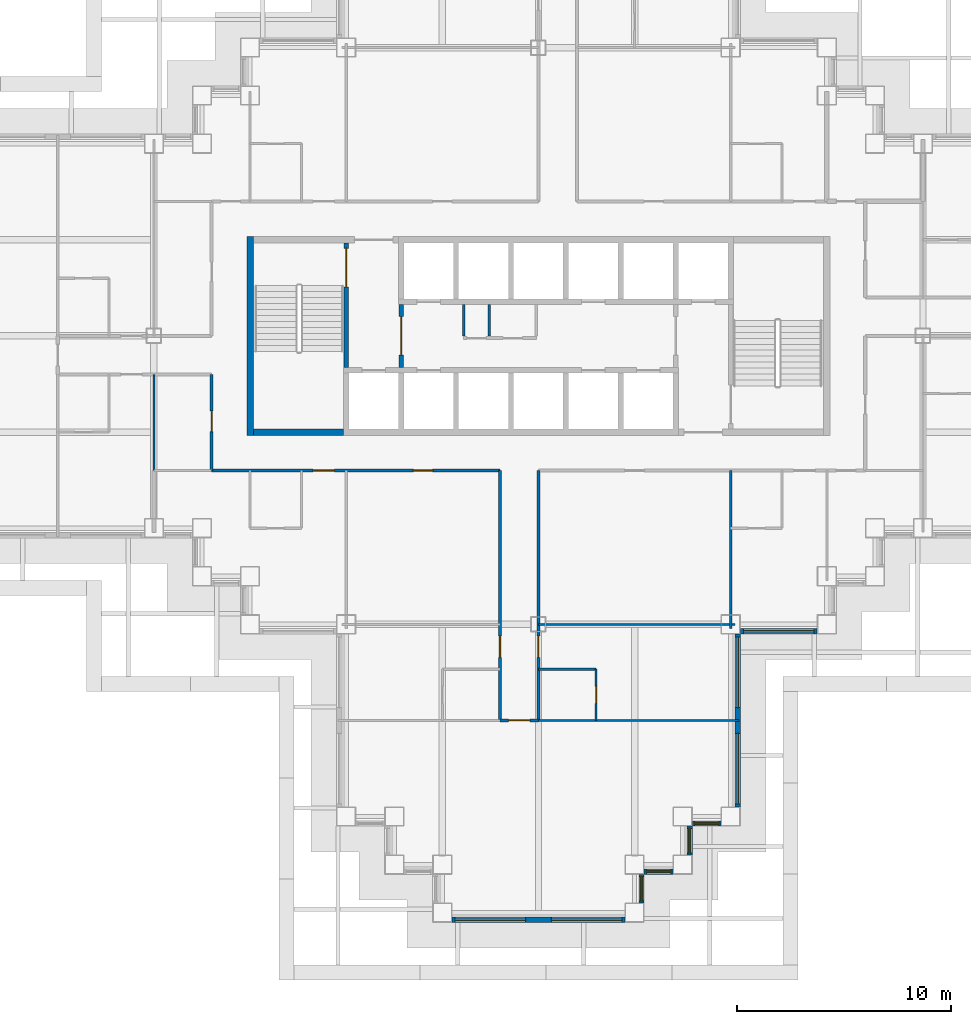
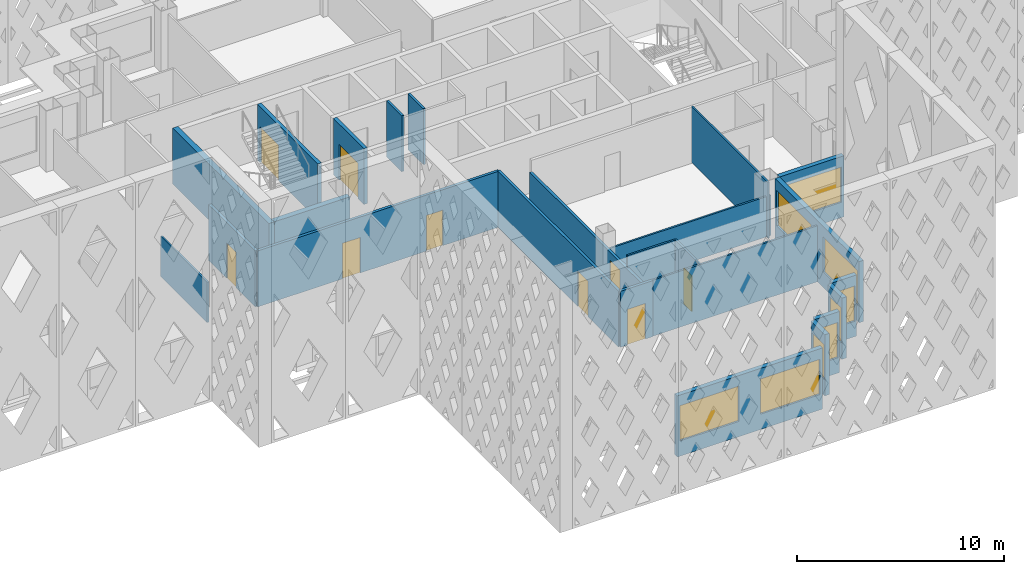
# One storey, part 4 of 21: 24 walls, 9 doors, 9 windows, 18 openings.
"""IFC4 building model written with IfcOpenShell, lengths in metres."""

from ifc_helpers import new_model, si_unit, direction, frame, frame_2d, origin, place, context, subcontext, project, spatial, rectangle, extrude, material, layer, layer_set, type_object, element, fill, save


model = new_model("IFC4")

# Units and contexts
model_context = context("Model", 3, precision=1e-05, world=origin(), true_north=direction((0.0, 1.0)))
body_context = subcontext(model_context, "Body", "Model", "MODEL_VIEW")
ifc_project = project(units=[si_unit("LENGTHUNIT", "METRE"), si_unit("AREAUNIT", "SQUARE_METRE"), si_unit("VOLUMEUNIT", "CUBIC_METRE"), si_unit("PLANEANGLEUNIT", "RADIAN"), si_unit("MASSUNIT", "GRAM", prefix="KILO")], contexts=[model_context])

# Site, building, storey
site_placement = place(None, origin())
site = spatial("IfcSite", under=ifc_project, at=site_placement, CompositionType="ELEMENT")
building_placement = place(site_placement, origin())
building = spatial("IfcBuilding", under=site, at=building_placement, Name="Caravel Reach Hotel and Residences", CompositionType="ELEMENT")
storey_placement = place(building_placement, frame((0.0, 0.0, 115.199951171875)))
storey = spatial("IfcBuildingStorey", under=building, at=storey_placement, Name="L28", CompositionType="ELEMENT", Elevation=115.199951171875)

# Wall
ifc_material_1 = material(Name="Gypsum board on steel stud", Category="steel")
ifc_layer_1 = layer(ifc_material_1, 0.10009765625)
ifc_layer_set_1 = layer_set([ifc_layer_1], Name="Bathroom pod wall 100 mm")
wall_type_1 = type_object("IfcWallType", Name="Bathroom pod wall 100 mm", PredefinedType="PARTITIONING", material=ifc_layer_set_1)
wall_1_placement = place(storey_placement, frame((31.5, 11.39990234375, 0.0), z_axis=(0.0, 0.0, 1.0), x_axis=(1.0, 0.0, 0.0)))
element("IfcWall", 1, at=wall_1_placement, inside=storey, type_object=wall_type_1, Name="L28 wall w067", PredefinedType="PARTITIONING", context=body_context, shape_type="SweptSolid", body=[
    extrude(rectangle(XDim=2.699951171875, YDim=0.10009765625, at=frame_2d((1.35009765625, 0.0))), origin(), (0.0, 0.0, 1.0), 3.300048828125),
])

# Wall, opening, door
wall_2_placement = place(storey_placement, frame((34.199951171875, 9.0, 0.0), z_axis=(0.0, 0.0, 1.0), x_axis=(0.0, 1.0, 0.0)))
wall_2 = element("IfcWall", 2, at=wall_2_placement, inside=storey, type_object=wall_type_1, Name="L28 wall w087", PredefinedType="PARTITIONING", context=body_context, shape_type="SweptSolid", body=[
    extrude(rectangle(XDim=2.39990234375, YDim=0.10009765625, at=frame_2d((1.199951171875, 0.0))), origin(), (0.0, 0.0, 1.0), 3.300048828125),
])
opening_1_placement = place(wall_2_placement, frame((0.800048828125, 0.0, 0.0)))
opening_1 = element("IfcOpeningElement", 3, at=opening_1_placement, cuts=wall_2, Name="Opening D28-034", PredefinedType="OPENING", context=body_context, shape_type="SweptSolid", body=[
    extrude(rectangle(XDim=0.800048828125, YDim=2.10009765625, at=frame_2d((0.39990234375, 1.050048828125))), frame((0.0, 0.06005859375, 0.0), z_axis=(0.0, -1.0, 0.0), x_axis=(1.0, 0.0, 0.0)), (0.0, 0.0, 1.0), 0.1201171875),
])
ifc_material_2 = material(Name="Timber and steel door leaf", Category="steel")
door_type_1 = type_object("IfcDoorType", Name="Bathroom door 800 x 2100", OperationType="SINGLE_SWING_LEFT", PredefinedType="DOOR", material=ifc_material_2)
door_1_placement = place(opening_1_placement, origin())
door_1 = element("IfcDoor", 4, at=door_1_placement, inside=storey, type_object=door_type_1, Name="door D28-034", OperationType="SINGLE_SWING_LEFT", OverallHeight=2.10009765625, OverallWidth=0.800048828125, PredefinedType="DOOR", context=body_context, shape_type="SweptSolid", body=[
    extrude(rectangle(XDim=0.800048828125, YDim=2.10009765625, at=frame_2d((0.39990234375, 1.050048828125))), frame((0.0, 0.02490234375, 0.0), z_axis=(0.0, -1.0, 0.0), x_axis=(1.0, 0.0, 0.0)), (0.0, 0.0, 1.0), 0.050048828125),
])
fill(opening_1, door_1)

# Walls
ifc_material_3 = material(Name="Concrete C60", Category="concrete")
ifc_layer_2 = layer(ifc_material_3, 0.300048828125)
ifc_layer_set_2 = layer_set([ifc_layer_2], Name="Core wall 300 mm EI 120")
wall_type_2 = type_object("IfcWallType", Name="Core wall 300 mm EI 120", PredefinedType="SHEAR", material=ifc_layer_set_2)
wall_3_placement = place(storey_placement, frame((18.14990234375, 22.5, 0.0), z_axis=(0.0, 0.0, 1.0), x_axis=(1.0, 0.0, 0.0)))
element("IfcWall", 5, at=wall_3_placement, inside=storey, type_object=wall_type_2, Name="L28 core wall S1", PredefinedType="SHEAR", context=body_context, shape_type="SweptSolid", body=[
    extrude(rectangle(XDim=4.22509765625, YDim=0.300048828125, at=frame_2d((2.112548828125, 0.0))), origin(), (0.0, 0.0, 1.0), 3.300048828125),
])
wall_4_placement = place(storey_placement, frame((18.0, 22.35009765625, 0.0), z_axis=(0.0, 0.0, 1.0), x_axis=(0.0, 1.0, 0.0)))
element("IfcWall", 6, at=wall_4_placement, inside=storey, type_object=wall_type_2, Name="L28 core wall W", PredefinedType="SHEAR", context=body_context, shape_type="SweptSolid", body=[
    extrude(rectangle(XDim=9.2998046875, YDim=0.300048828125, at=frame_2d((4.64990234375, 0.0))), origin(), (0.0, 0.0, 1.0), 3.300048828125),
])

# Wall, openings, doors
ifc_material_4 = material(Name="Gypsum board on steel stud, fire-rated", Category="steel")
ifc_layer_3 = layer(ifc_material_4, 0.14990234375)
ifc_layer_set_3 = layer_set([ifc_layer_3], Name="Corridor wall 150 mm EI 60")
wall_type_3 = type_object("IfcWallType", Name="Corridor wall 150 mm EI 60", PredefinedType="PARTITIONING", material=ifc_layer_set_3)
wall_5_placement = place(storey_placement, frame((16.199951171875, 20.699951171875, 0.0), z_axis=(0.0, 0.0, 1.0), x_axis=(1.0, 0.0, 0.0)))
wall_5 = element("IfcWall", 7, at=wall_5_placement, inside=storey, type_object=wall_type_3, Name="L28 wall w001", PredefinedType="PARTITIONING", context=body_context, shape_type="SweptSolid", body=[
    extrude(rectangle(XDim=13.5, YDim=0.14990234375, at=frame_2d((6.75, 0.0))), origin(), (0.0, 0.0, 1.0), 3.300048828125),
])
opening_2_placement = place(wall_5_placement, frame((4.75, 0.0, 0.0)))
opening_2 = element("IfcOpeningElement", 8, at=opening_2_placement, cuts=wall_5, Name="Opening D28-045", PredefinedType="OPENING", context=body_context, shape_type="SweptSolid", body=[
    extrude(rectangle(XDim=1.0, YDim=2.10009765625, at=frame_2d((0.5, 1.050048828125))), frame((0.0, 0.0849609375, 0.0), z_axis=(0.0, -1.0, 0.0), x_axis=(1.0, 0.0, 0.0)), (0.0, 0.0, 1.0), 0.169921875),
])
opening_3_placement = place(wall_5_placement, frame((9.449951171875, 0.0, 0.0)))
opening_3 = element("IfcOpeningElement", 9, at=opening_3_placement, cuts=wall_5, Name="Opening D28-052", PredefinedType="OPENING", context=body_context, shape_type="SweptSolid", body=[
    extrude(rectangle(XDim=0.89990234375, YDim=2.10009765625, at=frame_2d((0.449951171875, 1.050048828125))), frame((0.0, 0.0849609375, 0.0), z_axis=(0.0, -1.0, 0.0), x_axis=(1.0, 0.0, 0.0)), (0.0, 0.0, 1.0), 0.169921875),
])
ifc_material_5 = material(Name="Timber and steel door leaf", Category="steel")
door_type_2 = type_object("IfcDoorType", Name="Door 900 x 2100 timber", OperationType="SINGLE_SWING_LEFT", PredefinedType="DOOR", material=ifc_material_5)
door_2_placement = place(opening_3_placement, origin())
door_2 = element("IfcDoor", 10, at=door_2_placement, inside=storey, type_object=door_type_2, Name="door D28-052", OperationType="SINGLE_SWING_LEFT", OverallHeight=2.10009765625, OverallWidth=0.89990234375, PredefinedType="DOOR", context=body_context, shape_type="SweptSolid", body=[
    extrude(rectangle(XDim=0.89990234375, YDim=2.10009765625, at=frame_2d((0.449951171875, 1.050048828125))), frame((0.0, 0.02490234375, 0.0), z_axis=(0.0, -1.0, 0.0), x_axis=(1.0, 0.0, 0.0)), (0.0, 0.0, 1.0), 0.050048828125),
])
fill(opening_3, door_2)
ifc_material_6 = material(Name="Steel fire door leaf", Category="steel")
door_type_3 = type_object("IfcDoorType", Name="Guest room door 1000 x 2100 EI 30", OperationType="SINGLE_SWING_LEFT", PredefinedType="DOOR", material=ifc_material_6)
door_3_placement = place(opening_2_placement, origin())
door_3 = element("IfcDoor", 11, at=door_3_placement, inside=storey, type_object=door_type_3, Name="door D28-045", OperationType="SINGLE_SWING_RIGHT", OverallHeight=2.10009765625, OverallWidth=1.0, PredefinedType="DOOR", context=body_context, shape_type="SweptSolid", body=[
    extrude(rectangle(XDim=1.0, YDim=2.10009765625, at=frame_2d((0.5, 1.050048828125))), frame((0.0, 0.02490234375, 0.0), z_axis=(0.0, -1.0, 0.0), x_axis=(1.0, 0.0, 0.0)), (0.0, 0.0, 1.0), 0.050048828125),
])
fill(opening_2, door_3)

# Wall, opening, door
wall_6_placement = place(storey_placement, frame((29.699951171875, 9.0, 0.0), z_axis=(0.0, 0.0, 1.0), x_axis=(1.0, 0.0, 0.0)))
wall_6 = element("IfcWall", 12, at=wall_6_placement, inside=storey, type_object=wall_type_3, Name="L28 wall w020", PredefinedType="PARTITIONING", context=body_context, shape_type="SweptSolid", body=[
    extrude(rectangle(XDim=1.800048828125, YDim=0.14990234375, at=frame_2d((0.89990234375, 0.0))), origin(), (0.0, 0.0, 1.0), 3.300048828125),
])
opening_4_placement = place(wall_6_placement, frame((0.39990234375, 0.0, 0.0)))
opening_4 = element("IfcOpeningElement", 13, at=opening_4_placement, cuts=wall_6, Name="Opening D28-038", PredefinedType="OPENING", context=body_context, shape_type="SweptSolid", body=[
    extrude(rectangle(XDim=1.0, YDim=2.10009765625, at=frame_2d((0.5, 1.050048828125))), frame((0.0, 0.0849609375, 0.0), z_axis=(0.0, -1.0, 0.0), x_axis=(1.0, 0.0, 0.0)), (0.0, 0.0, 1.0), 0.169921875),
])
door_4_placement = place(opening_4_placement, origin())
door_4 = element("IfcDoor", 14, at=door_4_placement, inside=storey, type_object=door_type_3, Name="door D28-038", OperationType="SINGLE_SWING_LEFT", OverallHeight=2.10009765625, OverallWidth=1.0, PredefinedType="DOOR", context=body_context, shape_type="SweptSolid", body=[
    extrude(rectangle(XDim=1.0, YDim=2.10009765625, at=frame_2d((0.5, 1.050048828125))), frame((0.0, 0.02490234375, 0.0), z_axis=(0.0, -1.0, 0.0), x_axis=(1.0, 0.0, 0.0)), (0.0, 0.0, 1.0), 0.050048828125),
])
fill(opening_4, door_4)

wall_7_placement = place(storey_placement, frame((16.199951171875, 20.699951171875, 0.0), z_axis=(0.0, 0.0, 1.0), x_axis=(0.0, 1.0, 0.0)))
wall_7 = element("IfcWall", 15, at=wall_7_placement, inside=storey, type_object=wall_type_3, Name="L28 wall w022", PredefinedType="PARTITIONING", context=body_context, shape_type="SweptSolid", body=[
    extrude(rectangle(XDim=4.5, YDim=0.14990234375, at=frame_2d((2.25, 0.0))), origin(), (0.0, 0.0, 1.0), 3.300048828125),
])
opening_5_placement = place(wall_7_placement, frame((1.824951171875, 0.0, 0.0)))
opening_5 = element("IfcOpeningElement", 16, at=opening_5_placement, cuts=wall_7, Name="Opening D28-054", PredefinedType="OPENING", context=body_context, shape_type="SweptSolid", body=[
    extrude(rectangle(XDim=0.949951171875, YDim=2.10009765625, at=frame_2d((0.47509765625, 1.050048828125))), frame((0.0, 0.0849609375, 0.0), z_axis=(0.0, -1.0, 0.0), x_axis=(1.0, 0.0, 0.0)), (0.0, 0.0, 1.0), 0.169921875),
])
ifc_material_7 = material(Name="Timber and steel door leaf", Category="steel")
door_type_4 = type_object("IfcDoorType", Name="Accessible WC door 950 x 2100", OperationType="SINGLE_SWING_LEFT", PredefinedType="DOOR", material=ifc_material_7)
door_5_placement = place(opening_5_placement, origin())
door_5 = element("IfcDoor", 17, at=door_5_placement, inside=storey, type_object=door_type_4, Name="door D28-054", OperationType="SINGLE_SWING_LEFT", OverallHeight=2.10009765625, OverallWidth=0.949951171875, PredefinedType="DOOR", context=body_context, shape_type="SweptSolid", body=[
    extrude(rectangle(XDim=0.949951171875, YDim=2.10009765625, at=frame_2d((0.47509765625, 1.050048828125))), frame((0.0, 0.02490234375, 0.0), z_axis=(0.0, -1.0, 0.0), x_axis=(1.0, 0.0, 0.0)), (0.0, 0.0, 1.0), 0.050048828125),
])
fill(opening_5, door_5)

wall_8_placement = place(storey_placement, frame((29.699951171875, 9.0, 0.0), z_axis=(0.0, 0.0, 1.0), x_axis=(0.0, 1.0, 0.0)))
wall_8 = element("IfcWall", 18, at=wall_8_placement, inside=storey, type_object=wall_type_3, Name="L28 wall w023", PredefinedType="PARTITIONING", context=body_context, shape_type="SweptSolid", body=[
    extrude(rectangle(XDim=11.699951171875, YDim=0.14990234375, at=frame_2d((5.85009765625, 0.0))), origin(), (0.0, 0.0, 1.0), 3.300048828125),
])
opening_6_placement = place(wall_8_placement, frame((2.949951171875, 0.0, 0.0)))
opening_6 = element("IfcOpeningElement", 19, at=opening_6_placement, cuts=wall_8, Name="Opening D28-031", PredefinedType="OPENING", context=body_context, shape_type="SweptSolid", body=[
    extrude(rectangle(XDim=1.0, YDim=2.10009765625, at=frame_2d((0.5, 1.050048828125))), frame((0.0, 0.0849609375, 0.0), z_axis=(0.0, -1.0, 0.0), x_axis=(1.0, 0.0, 0.0)), (0.0, 0.0, 1.0), 0.169921875),
])
door_6_placement = place(opening_6_placement, origin())
door_6 = element("IfcDoor", 20, at=door_6_placement, inside=storey, type_object=door_type_3, Name="door D28-031", OperationType="SINGLE_SWING_RIGHT", OverallHeight=2.10009765625, OverallWidth=1.0, PredefinedType="DOOR", context=body_context, shape_type="SweptSolid", body=[
    extrude(rectangle(XDim=1.0, YDim=2.10009765625, at=frame_2d((0.5, 1.050048828125))), frame((0.0, 0.02490234375, 0.0), z_axis=(0.0, -1.0, 0.0), x_axis=(1.0, 0.0, 0.0)), (0.0, 0.0, 1.0), 0.050048828125),
])
fill(opening_6, door_6)

wall_9_placement = place(storey_placement, frame((31.5, 9.0, 0.0), z_axis=(0.0, 0.0, 1.0), x_axis=(0.0, 1.0, 0.0)))
wall_9 = element("IfcWall", 21, at=wall_9_placement, inside=storey, type_object=wall_type_3, Name="L28 wall w025", PredefinedType="PARTITIONING", context=body_context, shape_type="SweptSolid", body=[
    extrude(rectangle(XDim=11.699951171875, YDim=0.14990234375, at=frame_2d((5.85009765625, 0.0))), origin(), (0.0, 0.0, 1.0), 2.580078125),
])
opening_7_placement = place(wall_9_placement, frame((2.949951171875, 0.0, 0.0)))
opening_7 = element("IfcOpeningElement", 22, at=opening_7_placement, cuts=wall_9, Name="Opening D28-033", PredefinedType="OPENING", context=body_context, shape_type="SweptSolid", body=[
    extrude(rectangle(XDim=1.0, YDim=2.10009765625, at=frame_2d((0.5, 1.050048828125))), frame((0.0, 0.0849609375, 0.0), z_axis=(0.0, -1.0, 0.0), x_axis=(1.0, 0.0, 0.0)), (0.0, 0.0, 1.0), 0.169921875),
])
door_7_placement = place(opening_7_placement, origin())
door_7 = element("IfcDoor", 23, at=door_7_placement, inside=storey, type_object=door_type_3, Name="door D28-033", OperationType="SINGLE_SWING_RIGHT", OverallHeight=2.10009765625, OverallWidth=1.0, PredefinedType="DOOR", context=body_context, shape_type="SweptSolid", body=[
    extrude(rectangle(XDim=1.0, YDim=2.10009765625, at=frame_2d((0.5, 1.050048828125))), frame((0.0, 0.02490234375, 0.0), z_axis=(0.0, -1.0, 0.0), x_axis=(1.0, 0.0, 0.0)), (0.0, 0.0, 1.0), 0.050048828125),
])
fill(opening_7, door_7)

# Wall, openings, windows
ifc_material_8 = material(Name="Insulated rainscreen wall, aluminium cladding", Category="aluminium")
ifc_layer_4 = layer(ifc_material_8, 0.25)
ifc_layer_set_4 = layer_set([ifc_layer_4], Name="EW1 Tower rainscreen wall")
wall_type_4 = type_object("IfcWallType", Name="EW1 Tower rainscreen wall", PredefinedType="SOLIDWALL", material=ifc_layer_set_4)
wall_10_placement = place(storey_placement, frame((27.449951171875, -0.324951171875, 0.0), z_axis=(0.0, 0.0, 1.0), x_axis=(1.0, 0.0, 0.0)))
wall_10 = element("IfcWall", 24, at=wall_10_placement, inside=storey, type_object=wall_type_4, Name="External wall L28 S5.1", PredefinedType="SOLIDWALL", context=body_context, shape_type="SweptSolid", body=[
    extrude(rectangle(XDim=8.10009765625, YDim=0.25, at=frame_2d((4.050048828125, 0.0))), origin(), (0.0, 0.0, 1.0), 3.60009765625),
])
opening_8_placement = place(wall_10_placement, frame((0.14990234375, 0.0, 0.89990234375)))
opening_8 = element("IfcOpeningElement", 25, at=opening_8_placement, cuts=wall_10, Name="Opening WN4", PredefinedType="OPENING", context=body_context, shape_type="SweptSolid", body=[
    extrude(rectangle(XDim=3.300048828125, YDim=2.080078125, at=frame_2d((1.64990234375, 1.0400390625))), frame((0.0, 0.135009765625, 0.0), z_axis=(0.0, -1.0, 0.0), x_axis=(1.0, 0.0, 0.0)), (0.0, 0.0, 1.0), 0.27001953125),
])
opening_9_placement = place(wall_10_placement, frame((4.64990234375, 0.0, 0.89990234375)))
opening_9 = element("IfcOpeningElement", 26, at=opening_9_placement, cuts=wall_10, Name="Opening WN4", PredefinedType="OPENING", context=body_context, shape_type="SweptSolid", body=[
    extrude(rectangle(XDim=3.300048828125, YDim=2.080078125, at=frame_2d((1.64990234375, 1.0400390625))), frame((0.0, 0.135009765625, 0.0), z_axis=(0.0, -1.0, 0.0), x_axis=(1.0, 0.0, 0.0)), (0.0, 0.0, 1.0), 0.27001953125),
])
ifc_material_9 = material(Name="Dark low-e glazing in black aluminium frame", Category="aluminium")
window_type_1 = type_object("IfcWindowType", Name="Hotel guest room window 3300 x 2080", PartitioningType="SINGLE_PANEL", PredefinedType="WINDOW", material=ifc_material_9)
window_1_placement = place(opening_8_placement, origin())
window_1 = element("IfcWindow", 27, at=window_1_placement, inside=storey, type_object=window_type_1, Name="Window L28 S5.1.1", OverallHeight=2.080078125, OverallWidth=3.300048828125, PartitioningType="SINGLE_PANEL", PredefinedType="WINDOW", context=body_context, shape_type="SweptSolid", body=[
    extrude(rectangle(XDim=3.300048828125, YDim=2.080078125, at=frame_2d((1.64990234375, 1.0400390625))), frame((0.0, 0.030029296875, 0.0), z_axis=(0.0, -1.0, 0.0), x_axis=(1.0, 0.0, 0.0)), (0.0, 0.0, 1.0), 0.06005859375),
])
fill(opening_8, window_1)
window_2_placement = place(opening_9_placement, origin())
window_2 = element("IfcWindow", 28, at=window_2_placement, inside=storey, type_object=window_type_1, Name="Window L28 S5.1.2", OverallHeight=2.080078125, OverallWidth=3.300048828125, PartitioningType="SINGLE_PANEL", PredefinedType="WINDOW", context=body_context, shape_type="SweptSolid", body=[
    extrude(rectangle(XDim=3.300048828125, YDim=2.080078125, at=frame_2d((1.64990234375, 1.0400390625))), frame((0.0, 0.030029296875, 0.0), z_axis=(0.0, -1.0, 0.0), x_axis=(1.0, 0.0, 0.0)), (0.0, 0.0, 1.0), 0.06005859375),
])
fill(opening_9, window_2)

# Wall, opening, window
wall_11_placement = place(storey_placement, frame((36.324951171875, 0.449951171875, 0.0), z_axis=(0.0, 0.0, 1.0), x_axis=(0.0, 1.0, 0.0)))
wall_11 = element("IfcWall", 29, at=wall_11_placement, inside=storey, type_object=wall_type_4, Name="External wall L28 E6.1", PredefinedType="SOLIDWALL", context=body_context, shape_type="SweptSolid", body=[
    extrude(rectangle(XDim=1.35009765625, YDim=0.25, at=frame_2d((0.675048828125, 0.0))), origin(), (0.0, 0.0, 1.0), 3.60009765625),
])
opening_10_placement = place(wall_11_placement, frame((0.10009765625, 0.0, 0.89990234375)))
opening_10 = element("IfcOpeningElement", 30, at=opening_10_placement, cuts=wall_11, Name="Opening WN8", PredefinedType="OPENING", context=body_context, shape_type="SweptSolid", body=[
    extrude(rectangle(XDim=1.14990234375, YDim=2.080078125, at=frame_2d((0.574951171875, 1.0400390625))), frame((0.0, 0.135009765625, 0.0), z_axis=(0.0, -1.0, 0.0), x_axis=(1.0, 0.0, 0.0)), (0.0, 0.0, 1.0), 0.27001953125),
])
ifc_material_10 = material(Name="Dark low-e glazing in black aluminium frame", Category="aluminium")
window_type_2 = type_object("IfcWindowType", Name="Hotel suite corner window 1150 x 2080", PartitioningType="SINGLE_PANEL", PredefinedType="WINDOW", material=ifc_material_10)
window_3_placement = place(opening_10_placement, origin())
window_3 = element("IfcWindow", 31, at=window_3_placement, inside=storey, type_object=window_type_2, Name="Window L28 E6.1.1", OverallHeight=2.080078125, OverallWidth=1.14990234375, PartitioningType="SINGLE_PANEL", PredefinedType="WINDOW", context=body_context, shape_type="SweptSolid", body=[
    extrude(rectangle(XDim=1.14990234375, YDim=2.080078125, at=frame_2d((0.574951171875, 1.0400390625))), frame((0.0, 0.030029296875, 0.0), z_axis=(0.0, -1.0, 0.0), x_axis=(1.0, 0.0, 0.0)), (0.0, 0.0, 1.0), 0.06005859375),
])
fill(opening_10, window_3)

wall_12_placement = place(storey_placement, frame((36.449951171875, 1.925048828125, 0.0), z_axis=(0.0, 0.0, 1.0), x_axis=(1.0, 0.0, 0.0)))
wall_12 = element("IfcWall", 32, at=wall_12_placement, inside=storey, type_object=wall_type_4, Name="External wall L28 S7.1", PredefinedType="SOLIDWALL", context=body_context, shape_type="SweptSolid", body=[
    extrude(rectangle(XDim=1.35009765625, YDim=0.25, at=frame_2d((0.675048828125, 0.0))), origin(), (0.0, 0.0, 1.0), 3.60009765625),
])
opening_11_placement = place(wall_12_placement, frame((0.10009765625, 0.0, 0.89990234375)))
opening_11 = element("IfcOpeningElement", 33, at=opening_11_placement, cuts=wall_12, Name="Opening WN8", PredefinedType="OPENING", context=body_context, shape_type="SweptSolid", body=[
    extrude(rectangle(XDim=1.14990234375, YDim=2.080078125, at=frame_2d((0.574951171875, 1.0400390625))), frame((0.0, 0.135009765625, 0.0), z_axis=(0.0, -1.0, 0.0), x_axis=(1.0, 0.0, 0.0)), (0.0, 0.0, 1.0), 0.27001953125),
])
window_4_placement = place(opening_11_placement, origin())
window_4 = element("IfcWindow", 34, at=window_4_placement, inside=storey, type_object=window_type_2, Name="Window L28 S7.1.1", OverallHeight=2.080078125, OverallWidth=1.14990234375, PartitioningType="SINGLE_PANEL", PredefinedType="WINDOW", context=body_context, shape_type="SweptSolid", body=[
    extrude(rectangle(XDim=1.14990234375, YDim=2.080078125, at=frame_2d((0.574951171875, 1.0400390625))), frame((0.0, 0.030029296875, 0.0), z_axis=(0.0, -1.0, 0.0), x_axis=(1.0, 0.0, 0.0)), (0.0, 0.0, 1.0), 0.06005859375),
])
fill(opening_11, window_4)

wall_13_placement = place(storey_placement, frame((38.574951171875, 2.699951171875, 0.0), z_axis=(0.0, 0.0, 1.0), x_axis=(0.0, 1.0, 0.0)))
wall_13 = element("IfcWall", 35, at=wall_13_placement, inside=storey, type_object=wall_type_4, Name="External wall L28 E8.1", PredefinedType="SOLIDWALL", context=body_context, shape_type="SweptSolid", body=[
    extrude(rectangle(XDim=1.35009765625, YDim=0.25, at=frame_2d((0.675048828125, 0.0))), origin(), (0.0, 0.0, 1.0), 3.60009765625),
])
opening_12_placement = place(wall_13_placement, frame((0.10009765625, 0.0, 0.89990234375)))
opening_12 = element("IfcOpeningElement", 36, at=opening_12_placement, cuts=wall_13, Name="Opening WN8", PredefinedType="OPENING", context=body_context, shape_type="SweptSolid", body=[
    extrude(rectangle(XDim=1.14990234375, YDim=2.080078125, at=frame_2d((0.574951171875, 1.0400390625))), frame((0.0, 0.135009765625, 0.0), z_axis=(0.0, -1.0, 0.0), x_axis=(1.0, 0.0, 0.0)), (0.0, 0.0, 1.0), 0.27001953125),
])
window_5_placement = place(opening_12_placement, origin())
window_5 = element("IfcWindow", 37, at=window_5_placement, inside=storey, type_object=window_type_2, Name="Window L28 E8.1.1", OverallHeight=2.080078125, OverallWidth=1.14990234375, PartitioningType="SINGLE_PANEL", PredefinedType="WINDOW", context=body_context, shape_type="SweptSolid", body=[
    extrude(rectangle(XDim=1.14990234375, YDim=2.080078125, at=frame_2d((0.574951171875, 1.0400390625))), frame((0.0, 0.030029296875, 0.0), z_axis=(0.0, -1.0, 0.0), x_axis=(1.0, 0.0, 0.0)), (0.0, 0.0, 1.0), 0.06005859375),
])
fill(opening_12, window_5)

wall_14_placement = place(storey_placement, frame((38.699951171875, 4.175048828125, 0.0), z_axis=(0.0, 0.0, 1.0), x_axis=(1.0, 0.0, 0.0)))
wall_14 = element("IfcWall", 38, at=wall_14_placement, inside=storey, type_object=wall_type_4, Name="External wall L28 S9.1", PredefinedType="SOLIDWALL", context=body_context, shape_type="SweptSolid", body=[
    extrude(rectangle(XDim=1.35009765625, YDim=0.25, at=frame_2d((0.675048828125, 0.0))), origin(), (0.0, 0.0, 1.0), 3.60009765625),
])
opening_13_placement = place(wall_14_placement, frame((0.10009765625, 0.0, 0.89990234375)))
opening_13 = element("IfcOpeningElement", 39, at=opening_13_placement, cuts=wall_14, Name="Opening WN8", PredefinedType="OPENING", context=body_context, shape_type="SweptSolid", body=[
    extrude(rectangle(XDim=1.14990234375, YDim=2.080078125, at=frame_2d((0.574951171875, 1.0400390625))), frame((0.0, 0.135009765625, 0.0), z_axis=(0.0, -1.0, 0.0), x_axis=(1.0, 0.0, 0.0)), (0.0, 0.0, 1.0), 0.27001953125),
])
window_6_placement = place(opening_13_placement, origin())
window_6 = element("IfcWindow", 40, at=window_6_placement, inside=storey, type_object=window_type_2, Name="Window L28 S9.1.1", OverallHeight=2.080078125, OverallWidth=1.14990234375, PartitioningType="SINGLE_PANEL", PredefinedType="WINDOW", context=body_context, shape_type="SweptSolid", body=[
    extrude(rectangle(XDim=1.14990234375, YDim=2.080078125, at=frame_2d((0.574951171875, 1.0400390625))), frame((0.0, 0.030029296875, 0.0), z_axis=(0.0, -1.0, 0.0), x_axis=(1.0, 0.0, 0.0)), (0.0, 0.0, 1.0), 0.06005859375),
])
fill(opening_13, window_6)

# Wall, openings, windows
wall_15_placement = place(storey_placement, frame((40.824951171875, 4.949951171875, 0.0), z_axis=(0.0, 0.0, 1.0), x_axis=(0.0, 1.0, 0.0)))
wall_15 = element("IfcWall", 41, at=wall_15_placement, inside=storey, type_object=wall_type_4, Name="External wall L28 E10.1", PredefinedType="SOLIDWALL", context=body_context, shape_type="SweptSolid", body=[
    extrude(rectangle(XDim=8.10009765625, YDim=0.25, at=frame_2d((4.050048828125, 0.0))), origin(), (0.0, 0.0, 1.0), 3.60009765625),
])
opening_14_placement = place(wall_15_placement, frame((0.14990234375, 0.0, 0.89990234375)))
opening_14 = element("IfcOpeningElement", 42, at=opening_14_placement, cuts=wall_15, Name="Opening WN4", PredefinedType="OPENING", context=body_context, shape_type="SweptSolid", body=[
    extrude(rectangle(XDim=3.300048828125, YDim=2.080078125, at=frame_2d((1.64990234375, 1.0400390625))), frame((0.0, 0.135009765625, 0.0), z_axis=(0.0, -1.0, 0.0), x_axis=(1.0, 0.0, 0.0)), (0.0, 0.0, 1.0), 0.27001953125),
])
opening_15_placement = place(wall_15_placement, frame((4.64990234375, 0.0, 0.89990234375)))
opening_15 = element("IfcOpeningElement", 43, at=opening_15_placement, cuts=wall_15, Name="Opening WN4", PredefinedType="OPENING", context=body_context, shape_type="SweptSolid", body=[
    extrude(rectangle(XDim=3.300048828125, YDim=2.080078125, at=frame_2d((1.64990234375, 1.0400390625))), frame((0.0, 0.135009765625, 0.0), z_axis=(0.0, -1.0, 0.0), x_axis=(1.0, 0.0, 0.0)), (0.0, 0.0, 1.0), 0.27001953125),
])
window_7_placement = place(opening_14_placement, origin())
window_7 = element("IfcWindow", 44, at=window_7_placement, inside=storey, type_object=window_type_1, Name="Window L28 E10.1.1", OverallHeight=2.080078125, OverallWidth=3.300048828125, PartitioningType="SINGLE_PANEL", PredefinedType="WINDOW", context=body_context, shape_type="SweptSolid", body=[
    extrude(rectangle(XDim=3.300048828125, YDim=2.080078125, at=frame_2d((1.64990234375, 1.0400390625))), frame((0.0, 0.030029296875, 0.0), z_axis=(0.0, -1.0, 0.0), x_axis=(1.0, 0.0, 0.0)), (0.0, 0.0, 1.0), 0.06005859375),
])
fill(opening_14, window_7)
window_8_placement = place(opening_15_placement, origin())
window_8 = element("IfcWindow", 45, at=window_8_placement, inside=storey, type_object=window_type_1, Name="Window L28 E10.1.2", OverallHeight=2.080078125, OverallWidth=3.300048828125, PartitioningType="SINGLE_PANEL", PredefinedType="WINDOW", context=body_context, shape_type="SweptSolid", body=[
    extrude(rectangle(XDim=3.300048828125, YDim=2.080078125, at=frame_2d((1.64990234375, 1.0400390625))), frame((0.0, 0.030029296875, 0.0), z_axis=(0.0, -1.0, 0.0), x_axis=(1.0, 0.0, 0.0)), (0.0, 0.0, 1.0), 0.06005859375),
])
fill(opening_15, window_8)

# Wall, opening, window
wall_16_placement = place(storey_placement, frame((40.949951171875, 13.175048828125, 0.0), z_axis=(0.0, 0.0, 1.0), x_axis=(1.0, 0.0, 0.0)))
wall_16 = element("IfcWall", 46, at=wall_16_placement, inside=storey, type_object=wall_type_4, Name="External wall L28 S11.1", PredefinedType="SOLIDWALL", context=body_context, shape_type="SweptSolid", body=[
    extrude(rectangle(XDim=3.60009765625, YDim=0.25, at=frame_2d((1.800048828125, 0.0))), origin(), (0.0, 0.0, 1.0), 3.60009765625),
])
opening_16_placement = place(wall_16_placement, frame((0.14990234375, 0.0, 0.89990234375)))
opening_16 = element("IfcOpeningElement", 47, at=opening_16_placement, cuts=wall_16, Name="Opening WN4", PredefinedType="OPENING", context=body_context, shape_type="SweptSolid", body=[
    extrude(rectangle(XDim=3.300048828125, YDim=2.080078125, at=frame_2d((1.64990234375, 1.0400390625))), frame((0.0, 0.135009765625, 0.0), z_axis=(0.0, -1.0, 0.0), x_axis=(1.0, 0.0, 0.0)), (0.0, 0.0, 1.0), 0.27001953125),
])
window_9_placement = place(opening_16_placement, origin())
window_9 = element("IfcWindow", 48, at=window_9_placement, inside=storey, type_object=window_type_1, Name="Window L28 S11.1.1", OverallHeight=2.080078125, OverallWidth=3.300048828125, PartitioningType="SINGLE_PANEL", PredefinedType="WINDOW", context=body_context, shape_type="SweptSolid", body=[
    extrude(rectangle(XDim=3.300048828125, YDim=2.080078125, at=frame_2d((1.64990234375, 1.0400390625))), frame((0.0, 0.030029296875, 0.0), z_axis=(0.0, -1.0, 0.0), x_axis=(1.0, 0.0, 0.0)), (0.0, 0.0, 1.0), 0.06005859375),
])
fill(opening_16, window_9)

# Wall, opening, door
ifc_material_11 = material(Name="Autoclaved aerated block wall")
ifc_layer_5 = layer(ifc_material_11, 0.199951171875)
ifc_layer_set_5 = layer_set([ifc_layer_5], Name="Fire lobby wall 200 mm EI 120")
wall_type_5 = type_object("IfcWallType", Name="Fire lobby wall 200 mm EI 120", PredefinedType="PARTITIONING", material=ifc_layer_set_5)
wall_17_placement = place(storey_placement, frame((25.071533203125, 25.52490234375, 0.0), z_axis=(0.0, 0.0, 1.0), x_axis=(0.0, 1.0, 0.0)))
wall_17 = element("IfcWall", 49, at=wall_17_placement, inside=storey, type_object=wall_type_5, Name="L28 lobby W wall", PredefinedType="PARTITIONING", context=body_context, shape_type="SweptSolid", body=[
    extrude(rectangle(XDim=2.9501953125, YDim=0.199951171875, at=frame_2d((1.47509765625, 0.0))), origin(), (0.0, 0.0, 1.0), 3.300048828125),
])
opening_17_placement = place(wall_17_placement, frame((0.574951171875, 0.0, 0.0)))
opening_17 = element("IfcOpeningElement", 50, at=opening_17_placement, cuts=wall_17, Name="Opening D28-012", PredefinedType="OPENING", context=body_context, shape_type="SweptSolid", body=[
    extrude(rectangle(XDim=1.800048828125, YDim=2.10009765625, at=frame_2d((0.89990234375, 1.050048828125))), frame((0.0, 0.10986328125, 0.0), z_axis=(0.0, -1.0, 0.0), x_axis=(1.0, 0.0, 0.0)), (0.0, 0.0, 1.0), 0.219970703125),
])
ifc_material_12 = material(Name="Steel fire door leaf", Category="steel")
door_type_5 = type_object("IfcDoorType", Name="Fire lobby door pair 1800 x 2100 EI 90", OperationType="DOUBLE_DOOR_SINGLE_SWING", PredefinedType="DOOR", material=ifc_material_12)
door_8_placement = place(opening_17_placement, origin())
door_8 = element("IfcDoor", 51, at=door_8_placement, inside=storey, type_object=door_type_5, Name="lobby W door pair", OperationType="DOUBLE_DOOR_SINGLE_SWING", OverallHeight=2.10009765625, OverallWidth=1.800048828125, PredefinedType="DOOR", context=body_context, shape_type="SweptSolid", body=[
    extrude(rectangle(XDim=1.800048828125, YDim=2.10009765625, at=frame_2d((0.89990234375, 1.050048828125))), frame((0.0, 0.02490234375, 0.0), z_axis=(0.0, -1.0, 0.0), x_axis=(1.0, 0.0, 0.0)), (0.0, 0.0, 1.0), 0.050048828125),
])
fill(opening_17, door_8)

# Walls
ifc_material_13 = material(Name="Gypsum board on steel stud", Category="steel")
ifc_layer_6 = layer(ifc_material_13, 0.10009765625)
ifc_layer_set_6 = layer_set([ifc_layer_6], Name="Partition 100 mm")
wall_type_6 = type_object("IfcWallType", Name="Partition 100 mm", PredefinedType="PARTITIONING", material=ifc_layer_set_6)
wall_18_placement = place(storey_placement, frame((31.5, 13.5, 0.0), z_axis=(0.0, 0.0, 1.0), x_axis=(1.0, 0.0, 0.0)))
element("IfcWall", 52, at=wall_18_placement, inside=storey, type_object=wall_type_6, Name="L28 wall w037", PredefinedType="PARTITIONING", context=body_context, shape_type="SweptSolid", body=[
    extrude(rectangle(XDim=9.18994140625, YDim=0.10009765625, at=frame_2d((4.594970703125, 0.0))), origin(), (0.0, 0.0, 1.0), 2.380126953125),
])
wall_19_placement = place(storey_placement, frame((31.5, 9.0, 0.0), z_axis=(0.0, 0.0, 1.0), x_axis=(1.0, 0.0, 0.0)))
element("IfcWall", 53, at=wall_19_placement, inside=storey, type_object=wall_type_6, Name="L28 wall w047", PredefinedType="PARTITIONING", context=body_context, shape_type="SweptSolid", body=[
    extrude(rectangle(XDim=9.389892578125, YDim=0.10009765625, at=frame_2d((4.69482421875, 0.0))), origin(), (0.0, 0.0, 1.0), 3.300048828125),
])
wall_20_placement = place(storey_placement, frame((13.5, 20.699951171875, 0.0), z_axis=(0.0, 0.0, 1.0), x_axis=(0.0, 1.0, 0.0)))
element("IfcWall", 54, at=wall_20_placement, inside=storey, type_object=wall_type_6, Name="L28 wall w051", PredefinedType="PARTITIONING", context=body_context, shape_type="SweptSolid", body=[
    extrude(rectangle(XDim=4.5, YDim=0.10009765625, at=frame_2d((2.25, 0.0))), origin(), (0.0, 0.0, 1.0), 2.380126953125),
])
wall_21_placement = place(storey_placement, frame((40.5, 13.31005859375, 0.0), z_axis=(0.0, 0.0, 1.0), x_axis=(0.0, 1.0, 0.0)))
element("IfcWall", 55, at=wall_21_placement, inside=storey, type_object=wall_type_6, Name="L28 wall w056", PredefinedType="PARTITIONING", context=body_context, shape_type="SweptSolid", body=[
    extrude(rectangle(XDim=7.389892578125, YDim=0.10009765625, at=frame_2d((3.69482421875, 0.0))), origin(), (0.0, 0.0, 1.0), 3.300048828125),
])
ifc_material_14 = material(Name="Autoclaved aerated block wall")
ifc_layer_7 = layer(ifc_material_14, 0.125)
ifc_layer_set_7 = layer_set([ifc_layer_7], Name="Riser wall 125 mm EI 60")
wall_type_7 = type_object("IfcWallType", Name="Riser wall 125 mm EI 60", PredefinedType="PARTITIONING", material=ifc_layer_set_7)
for number, where, z_axis, x_axis, name in (
    (56, (28.0, 28.47509765625, 0.0), (0.0, 0.0, 1.0), (0.0, -1.0, 0.0), "L28 service room partition N1"),
    (57, (29.199951171875, 28.47509765625, 0.0), (0.0, 0.0, 1.0), (0.0, -1.0, 0.0), "L28 service room partition N1"),
):
    element("IfcWall", number, at=place(storey_placement, frame(where, z_axis=z_axis, x_axis=x_axis)), inside=storey, type_object=wall_type_7, Name=name, PredefinedType="PARTITIONING", context=body_context, shape_type="SweptSolid", body=[
        extrude(rectangle(XDim=1.47509765625, YDim=0.125, at=frame_2d((0.737548828125, 0.0))), origin(), (0.0, 0.0, 1.0), 3.300048828125),
    ])

# Wall, opening, door
ifc_material_15 = material(Name="Concrete C60", Category="concrete")
ifc_layer_8 = layer(ifc_material_15, 0.199951171875)
ifc_layer_set_8 = layer_set([ifc_layer_8], Name="Stair enclosure wall 200 mm EI 120")
wall_type_8 = type_object("IfcWallType", Name="Stair enclosure wall 200 mm EI 120", PredefinedType="SHEAR", material=ifc_layer_set_8)
wall_22_placement = place(storey_placement, frame((22.5, 31.35009765625, 0.0), z_axis=(0.0, 0.0, 1.0), x_axis=(0.0, -1.0, 0.0)))
wall_22 = element("IfcWall", 58, at=wall_22_placement, inside=storey, type_object=wall_type_8, Name="L28 stair A wall", PredefinedType="SHEAR", context=body_context, shape_type="SweptSolid", body=[
    extrude(rectangle(XDim=5.8251953125, YDim=0.199951171875, at=frame_2d((2.91259765625, 0.0))), origin(), (0.0, 0.0, 1.0), 3.300048828125),
])
opening_18_placement = place(wall_22_placement, frame((0.25, 0.0, 0.0)))
opening_18 = element("IfcOpeningElement", 59, at=opening_18_placement, cuts=wall_22, Name="Opening D28-010", PredefinedType="OPENING", context=body_context, shape_type="SweptSolid", body=[
    extrude(rectangle(XDim=1.800048828125, YDim=2.10009765625, at=frame_2d((0.89990234375, 1.050048828125))), frame((0.0, 0.10986328125, 0.0), z_axis=(0.0, -1.0, 0.0), x_axis=(1.0, 0.0, 0.0)), (0.0, 0.0, 1.0), 0.219970703125),
])
ifc_material_16 = material(Name="Steel fire door leaf", Category="steel")
door_type_6 = type_object("IfcDoorType", Name="Stair door pair 1800 x 2100 EI 90", OperationType="DOUBLE_DOOR_SINGLE_SWING", PredefinedType="DOOR", material=ifc_material_16)
door_9_placement = place(opening_18_placement, origin())
door_9 = element("IfcDoor", 60, at=door_9_placement, inside=storey, type_object=door_type_6, Name="stair A door pair", OperationType="DOUBLE_DOOR_SINGLE_SWING", OverallHeight=2.10009765625, OverallWidth=1.800048828125, PredefinedType="DOOR", context=body_context, shape_type="SweptSolid", body=[
    extrude(rectangle(XDim=1.800048828125, YDim=2.10009765625, at=frame_2d((0.89990234375, 1.050048828125))), frame((0.0, 0.02490234375, 0.0), z_axis=(0.0, -1.0, 0.0), x_axis=(1.0, 0.0, 0.0)), (0.0, 0.0, 1.0), 0.050048828125),
])
fill(opening_18, door_9)

save(model, "model.ifc")
